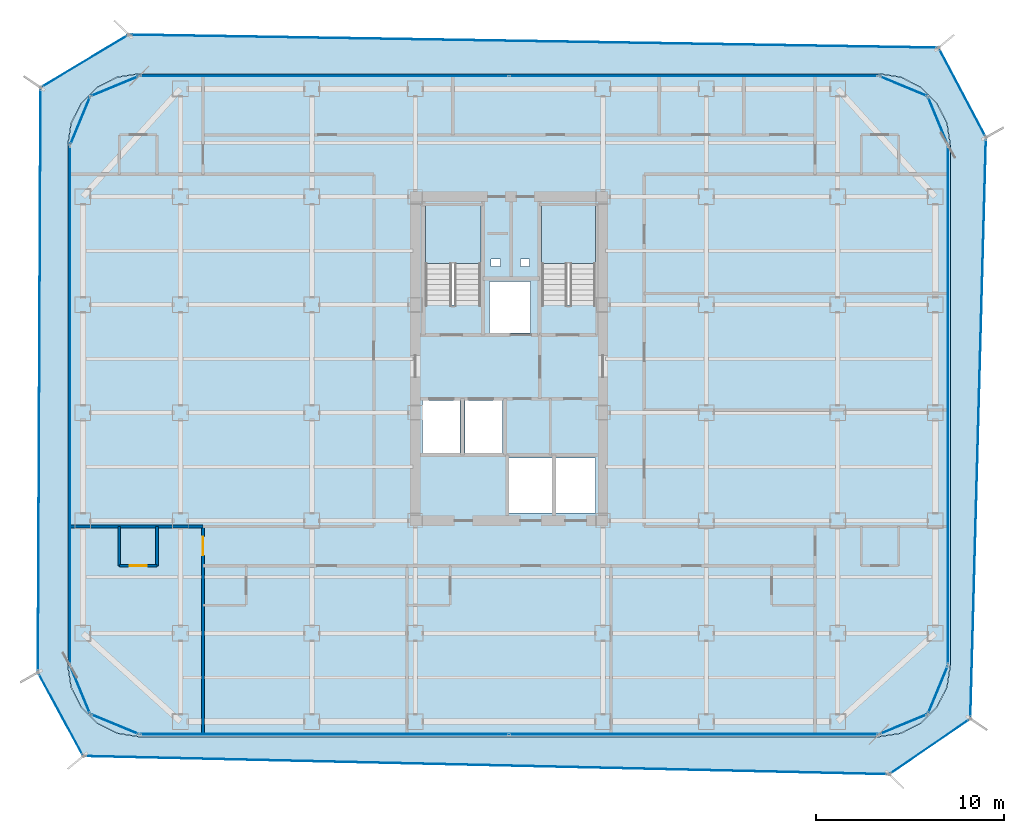
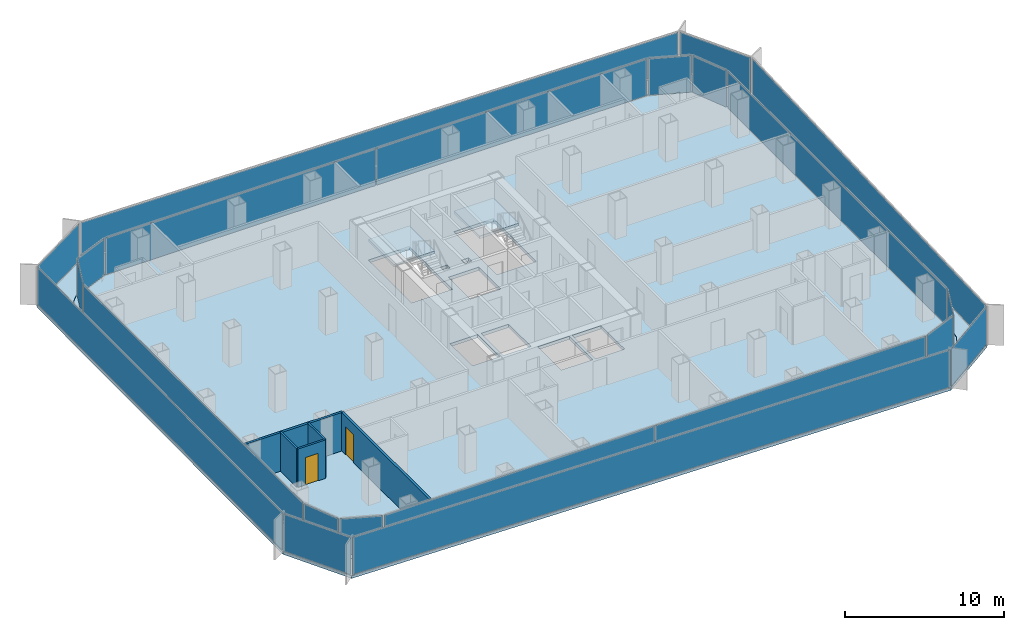
# One storey, part 15 of 21: 22 plates, 5 walls, 4 slabs, 2 doors, 2 openings, 22 elements without a shape of their own.
"""IFC4 building model written with IfcOpenShell, lengths in metres."""

from ifc_helpers import new_model, si_unit, direction, frame, frame_2d, origin, origin_2d, place, context, subcontext, project, spatial, polyline, rectangle, outline, extrude, source, transform, mapped, material, layer, layer_set, type_object, element, fill, aggregate, save


model = new_model("IFC4")

# Units and contexts
model_context = context("Model", 3, precision=1e-05, world=origin(), true_north=direction((0.0, 1.0)))
body_context = subcontext(model_context, "Body", "Model", "MODEL_VIEW")
ifc_project = project(units=[si_unit("LENGTHUNIT", "METRE"), si_unit("AREAUNIT", "SQUARE_METRE"), si_unit("VOLUMEUNIT", "CUBIC_METRE"), si_unit("PLANEANGLEUNIT", "RADIAN"), si_unit("MASSUNIT", "GRAM", prefix="KILO")], contexts=[model_context])

# Site, building, storey
site_placement = place(None, origin())
site = spatial("IfcSite", under=ifc_project, at=site_placement, CompositionType="ELEMENT")
building_placement = place(site_placement, origin())
building = spatial("IfcBuilding", under=site, at=building_placement, Name="Kolveth Station Tower", CompositionType="ELEMENT")
storey_placement = place(building_placement, frame((0.0, 0.0, 118.300048828125)))
storey = spatial("IfcBuildingStorey", under=building, at=storey_placement, Name="L32", CompositionType="ELEMENT", Elevation=118.300048828125)

# Slab
ifc_material_1 = material(Name="Concrete C40/50", Category="concrete")
ifc_layer_1 = layer(ifc_material_1, 0.25)
ifc_layer_set_1 = layer_set([ifc_layer_1], Name="Concrete C40/50")
slab_type_1 = type_object("IfcSlabType", Name="Slab_SF-250", PredefinedType="FLOOR", material=ifc_layer_set_1)
slab_1_placement = place(storey_placement, frame((0.0, 0.0, -0.25)))
element("IfcSlab", 1, at=slab_1_placement, inside=storey, type_object=slab_type_1, Name="L32 Tower Structural Floor Slab", PredefinedType="FLOOR", context=body_context, shape_type="SweptSolid", body=[
    extrude(outline(polyline([(43.199951171875, 0.0), (44.374267578125, 0.18603515625), (45.43359375, 0.7255859375), (46.2744140625, 1.56640625), (46.81396484375, 2.625732421875), (47.0, 3.800048828125), (47.0, 31.5), (46.81396484375, 32.67431640625), (46.2744140625, 33.733642578125), (45.43359375, 34.57421875), (44.374267578125, 35.114013671875), (43.199951171875, 35.300048828125), (3.800048828125, 35.300048828125), (2.625732421875, 35.114013671875), (1.56640625, 34.57421875), (0.7255859375, 33.733642578125), (0.18603515625, 32.67431640625), (0.0, 31.5), (0.0, 3.800048828125), (0.18603515625, 2.625732421875), (0.7255859375, 1.56640625), (1.56640625, 0.7255859375), (2.625732421875, 0.18603515625), (3.800048828125, 0.0), (43.199951171875, 0.0)]), holes=[polyline([(19.0400390625, 22.985107421875), (22.0, 22.985107421875), (22.0, 28.39990234375), (19.0400390625, 28.39990234375), (19.0400390625, 22.985107421875)]), polyline([(25.239990234375, 22.985107421875), (28.10009765625, 22.985107421875), (28.10009765625, 28.39990234375), (25.239990234375, 28.39990234375), (25.239990234375, 22.985107421875)]), polyline([(18.89990234375, 15.10009765625), (20.89990234375, 15.10009765625), (20.89990234375, 17.89990234375), (18.89990234375, 17.89990234375), (18.89990234375, 15.10009765625)]), polyline([(21.14990234375, 15.10009765625), (23.14990234375, 15.10009765625), (23.14990234375, 17.89990234375), (21.14990234375, 17.89990234375), (21.14990234375, 15.10009765625)]), polyline([(22.449951171875, 21.5), (24.64990234375, 21.5), (24.64990234375, 24.25), (22.449951171875, 24.25), (22.449951171875, 21.5)]), polyline([(23.5, 11.89990234375), (25.800048828125, 11.89990234375), (25.800048828125, 14.85009765625), (23.5, 14.85009765625), (23.5, 11.89990234375)]), polyline([(26.0, 11.89990234375), (28.10009765625, 11.89990234375), (28.10009765625, 14.85009765625), (26.0, 14.85009765625), (26.0, 11.89990234375)]), polyline([(22.550048828125, 25.050048828125), (23.050048828125, 25.050048828125), (23.050048828125, 25.449951171875), (22.550048828125, 25.449951171875), (22.550048828125, 25.050048828125)]), polyline([(24.10009765625, 25.050048828125), (24.60009765625, 25.050048828125), (24.60009765625, 25.449951171875), (24.10009765625, 25.449951171875), (24.10009765625, 25.050048828125)])]), origin(), (0.0, 0.0, 1.0), 0.25),
])

# Stair, slab
stair_type_1 = type_object("IfcStairType", Name="Stair_ST2", PredefinedType="HALF_TURN_STAIR", material=ifc_material_1)
stair_1_placement = place(storey_placement, origin())
stair_1 = element("IfcStair", 2, at=stair_1_placement, inside=storey, type_object=stair_type_1, Name="L32 Tower Exit Stair ST2", PredefinedType="HALF_TURN_STAIR")
ifc_layer_2 = layer(ifc_material_1, 0.18994140625)
ifc_layer_set_2 = layer_set([ifc_layer_2], Name="Concrete C40/50")
slab_type_2 = type_object("IfcSlabType", Name="Slab_SL-190", PredefinedType="LANDING", material=ifc_layer_set_2)
slab_2_placement = place(storey_placement, frame((0.0, 0.0, 1.39990234375)))
slab_2 = element("IfcSlab", 3, at=slab_2_placement, type_object=slab_type_2, Name="ST2 landing 1", PredefinedType="LANDING", context=body_context, shape_type="SweptSolid", body=[
    extrude(outline(polyline([(28.10009765625, 25.18994140625), (28.10009765625, 28.39990234375), (25.239990234375, 28.39990234375), (25.239990234375, 25.18994140625), (28.10009765625, 25.18994140625)])), origin(), (0.0, 0.0, 1.0), 0.199951171875),
])
aggregate(stair_1, [slab_2])

stair_type_2 = type_object("IfcStairType", Name="Stair_ST1", PredefinedType="HALF_TURN_STAIR", material=ifc_material_1)
stair_2_placement = place(storey_placement, origin())
stair_2 = element("IfcStair", 4, at=stair_2_placement, inside=storey, type_object=stair_type_2, Name="L32 Tower Exit Stair ST1", PredefinedType="HALF_TURN_STAIR")
ifc_layer_3 = layer(ifc_material_1, 0.205078125)
ifc_layer_set_3 = layer_set([ifc_layer_3], Name="Concrete C40/50")
slab_type_3 = type_object("IfcSlabType", Name="Slab_SL-205", PredefinedType="LANDING", material=ifc_layer_set_3)
slab_3_placement = place(storey_placement, frame((0.0, 0.0, 1.39990234375)))
slab_3 = element("IfcSlab", 5, at=slab_3_placement, type_object=slab_type_3, Name="ST1 landing 1", PredefinedType="LANDING", context=body_context, shape_type="SweptSolid", body=[
    extrude(outline(polyline([(22.0, 25.18994140625), (22.0, 28.39990234375), (19.0400390625, 28.39990234375), (19.0400390625, 25.18994140625), (22.0, 25.18994140625)])), origin(), (0.0, 0.0, 1.0), 0.199951171875),
])
aggregate(stair_2, [slab_3])

# Slab
ifc_layer_4 = layer(ifc_material_1, 0.2099609375)
ifc_layer_set_4 = layer_set([ifc_layer_4], Name="Concrete C40/50")
slab_type_4 = type_object("IfcSlabType", Name="Slab_ST-210", PredefinedType="FLOOR", material=ifc_layer_set_4)
slab_4_placement = place(storey_placement, frame((0.0, 0.0, -0.2099609375)))
element("IfcSlab", 6, at=slab_4_placement, inside=storey, type_object=slab_type_4, Name="L32 Double-Skin Cavity Structural Ledger Ring", PredefinedType="FLOOR", context=body_context, shape_type="SweptSolid", body=[
    extrude(outline(polyline([(0.826171875, -1.03564453125), (-1.58984375, 3.420166015625), (-1.448974609375, 34.568115234375), (3.24462890625, 37.384521484375), (46.376708984375, 36.69091796875), (48.90234375, 31.919189453125), (48.071044921875, 0.94970703125), (43.745849609375, -2.0068359375), (0.826171875, -1.03564453125)]), holes=[polyline([(43.202392578125, -0.014892578125), (44.376708984375, 0.171142578125), (44.381103515625, 0.172607421875), (45.4404296875, 0.71240234375), (45.444091796875, 0.715087890625), (46.284912109375, 1.555908203125), (46.28759765625, 1.5595703125), (46.827392578125, 2.618896484375), (46.828857421875, 2.623291015625), (47.014892578125, 3.797607421875), (47.014892578125, 3.800048828125), (47.014892578125, 31.5), (47.014892578125, 31.502197265625), (46.828857421875, 32.676513671875), (46.827392578125, 32.68115234375), (46.28759765625, 33.740478515625), (46.284912109375, 33.744140625), (45.444091796875, 34.5849609375), (45.4404296875, 34.587646484375), (44.381103515625, 35.12744140625), (44.376708984375, 35.12890625), (43.202392578125, 35.314697265625), (43.199951171875, 35.31494140625), (3.800048828125, 35.31494140625), (3.797607421875, 35.314697265625), (2.623291015625, 35.12890625), (2.618896484375, 35.12744140625), (1.5595703125, 34.587646484375), (1.555908203125, 34.5849609375), (0.715087890625, 33.744140625), (0.71240234375, 33.740478515625), (0.172607421875, 32.68115234375), (0.171142578125, 32.676513671875), (-0.014892578125, 31.502197265625), (-0.014892578125, 31.5), (-0.014892578125, 3.800048828125), (-0.014892578125, 3.797607421875), (0.171142578125, 2.623291015625), (0.172607421875, 2.618896484375), (0.71240234375, 1.5595703125), (0.715087890625, 1.555908203125), (1.555908203125, 0.715087890625), (1.5595703125, 0.71240234375), (2.618896484375, 0.172607421875), (2.623291015625, 0.171142578125), (3.797607421875, -0.014892578125), (3.800048828125, -0.014892578125), (43.199951171875, -0.014892578125), (43.202392578125, -0.014892578125)])]), origin(), (0.0, 0.0, 1.0), 0.2099609375),
])

# Curtain wall, plate
ifc_material_2 = material(Name="Aluminium 6063-T6 and low-E dark glass", Category="aluminium")
ifc_layer_5 = layer(ifc_material_2, 0.18994140625)
ifc_layer_set_5 = layer_set([ifc_layer_5], Name="Aluminium 6063-T6 and low-E dark glass")
curtain_wall_type_1 = type_object("IfcCurtainWallType", Name="CurtainWall_CW-Z2", PredefinedType="NOTDEFINED", material=ifc_layer_set_5)
curtain_wall_1_placement = place(storey_placement, origin())
curtain_wall_1 = element("IfcCurtainWall", 7, at=curtain_wall_1_placement, inside=storey, type_object=curtain_wall_type_1, Name="L32 Inner Thermal Curtain Wall 1", PredefinedType="NOTDEFINED")
ifc_material_3 = material(Name="Architectural low-E dark glass", Category="glass")
ifc_layer_6 = layer(ifc_material_3, 0.0380859375)
ifc_layer_set_6 = layer_set([ifc_layer_6], Name="Architectural low-E dark glass")
plate_type_1 = type_object("IfcPlateType", Name="Panel_GL2", PredefinedType="CURTAIN_PANEL", material=ifc_layer_set_6)
shared_shape_1 = source(origin(), body_context, "Body", "SweptSolid", [
    extrude(rectangle(XDim=2.670654296875, YDim=0.0380859375, at=origin_2d()), origin(), (0.0, 0.0, 1.0), 2.803955078125),
])
plate_1_placement = place(storey_placement, frame((44.501220703125, 0.658935546875, 0.07275390625), z_axis=(0.0, 0.0, 1.0), x_axis=(0.923887883787, 0.38266326998, 0.0)))
plate_1 = element("IfcPlate", 8, at=plate_1_placement, type_object=plate_type_1, Name="CW-Z2 panel 1.1", PredefinedType="CURTAIN_PANEL", context=body_context, shape_type="MappedRepresentation", body=[
    mapped(shared_shape_1, transform((0.0, 0.0, 0.0), x_axis=(1.0, 0.0, 0.0), y_axis=(0.0, 1.0, 0.0), z_axis=(0.0, 0.0, 1.0), scale=1.0)),
])
aggregate(curtain_wall_1, [plate_1])

curtain_wall_2_placement = place(storey_placement, origin())
curtain_wall_2 = element("IfcCurtainWall", 9, at=curtain_wall_2_placement, inside=storey, type_object=curtain_wall_type_1, Name="L32 Inner Thermal Curtain Wall 2", PredefinedType="NOTDEFINED")
plate_2_placement = place(storey_placement, frame((46.341064453125, 2.498779296875, 0.07275390625), z_axis=(0.0, 0.0, 1.0), x_axis=(0.38266326998, 0.923887883787, 0.0)))
plate_2 = element("IfcPlate", 10, at=plate_2_placement, type_object=plate_type_1, Name="CW-Z2 panel 1.1", PredefinedType="CURTAIN_PANEL", context=body_context, shape_type="MappedRepresentation", body=[
    mapped(shared_shape_1, transform((0.0, 0.0, 0.0), x_axis=(1.0, 0.0, 0.0), y_axis=(0.0, 1.0, 0.0), z_axis=(0.0, 0.0, 1.0), scale=1.0)),
])
aggregate(curtain_wall_2, [plate_2])

curtain_wall_3_placement = place(storey_placement, origin())
curtain_wall_3 = element("IfcCurtainWall", 11, at=curtain_wall_3_placement, inside=storey, type_object=curtain_wall_type_1, Name="L32 Inner Thermal Curtain Wall 4", PredefinedType="NOTDEFINED")
plate_3_placement = place(storey_placement, frame((46.341064453125, 32.801025390625, 0.07275390625), z_axis=(0.0, 0.0, 1.0), x_axis=(-0.38266326998, 0.923887883787, 0.0)))
plate_3 = element("IfcPlate", 12, at=plate_3_placement, type_object=plate_type_1, Name="CW-Z2 panel 1.1", PredefinedType="CURTAIN_PANEL", context=body_context, shape_type="MappedRepresentation", body=[
    mapped(shared_shape_1, transform((0.0, 0.0, 0.0), x_axis=(1.0, 0.0, 0.0), y_axis=(0.0, 1.0, 0.0), z_axis=(0.0, 0.0, 1.0), scale=1.0)),
])
aggregate(curtain_wall_3, [plate_3])

curtain_wall_4_placement = place(storey_placement, origin())
curtain_wall_4 = element("IfcCurtainWall", 13, at=curtain_wall_4_placement, inside=storey, type_object=curtain_wall_type_1, Name="L32 Inner Thermal Curtain Wall 5", PredefinedType="NOTDEFINED")
plate_4_placement = place(storey_placement, frame((44.501220703125, 34.64111328125, 0.07275390625), z_axis=(0.0, 0.0, 1.0), x_axis=(-0.923887883787, 0.38266326998, 0.0)))
plate_4 = element("IfcPlate", 14, at=plate_4_placement, type_object=plate_type_1, Name="CW-Z2 panel 1.1", PredefinedType="CURTAIN_PANEL", context=body_context, shape_type="MappedRepresentation", body=[
    mapped(shared_shape_1, transform((0.0, 0.0, 0.0), x_axis=(1.0, 0.0, 0.0), y_axis=(0.0, 1.0, 0.0), z_axis=(0.0, 0.0, 1.0), scale=1.0)),
])
aggregate(curtain_wall_4, [plate_4])

curtain_wall_5_placement = place(storey_placement, origin())
curtain_wall_5 = element("IfcCurtainWall", 15, at=curtain_wall_5_placement, inside=storey, type_object=curtain_wall_type_1, Name="L32 Inner Thermal Curtain Wall 7", PredefinedType="NOTDEFINED")
plate_5_placement = place(storey_placement, frame((2.498779296875, 34.64111328125, 0.07275390625), z_axis=(0.0, 0.0, 1.0), x_axis=(-0.923887883787, -0.38266326998, 0.0)))
plate_5 = element("IfcPlate", 16, at=plate_5_placement, type_object=plate_type_1, Name="CW-Z2 panel 1.1", PredefinedType="CURTAIN_PANEL", context=body_context, shape_type="MappedRepresentation", body=[
    mapped(shared_shape_1, transform((0.0, 0.0, 0.0), x_axis=(1.0, 0.0, 0.0), y_axis=(0.0, 1.0, 0.0), z_axis=(0.0, 0.0, 1.0), scale=1.0)),
])
aggregate(curtain_wall_5, [plate_5])

curtain_wall_6_placement = place(storey_placement, origin())
curtain_wall_6 = element("IfcCurtainWall", 17, at=curtain_wall_6_placement, inside=storey, type_object=curtain_wall_type_1, Name="L32 Inner Thermal Curtain Wall 8", PredefinedType="NOTDEFINED")
plate_6_placement = place(storey_placement, frame((0.658935546875, 32.801025390625, 0.07275390625), z_axis=(0.0, 0.0, 1.0), x_axis=(-0.38266326998, -0.923887883787, 0.0)))
plate_6 = element("IfcPlate", 18, at=plate_6_placement, type_object=plate_type_1, Name="CW-Z2 panel 1.1", PredefinedType="CURTAIN_PANEL", context=body_context, shape_type="MappedRepresentation", body=[
    mapped(shared_shape_1, transform((0.0, 0.0, 0.0), x_axis=(1.0, 0.0, 0.0), y_axis=(0.0, 1.0, 0.0), z_axis=(0.0, 0.0, 1.0), scale=1.0)),
])
aggregate(curtain_wall_6, [plate_6])

curtain_wall_7_placement = place(storey_placement, origin())
curtain_wall_7 = element("IfcCurtainWall", 19, at=curtain_wall_7_placement, inside=storey, type_object=curtain_wall_type_1, Name="L32 Inner Thermal Curtain Wall 10", PredefinedType="NOTDEFINED")
plate_7_placement = place(storey_placement, frame((0.658935546875, 2.498779296875, 0.07275390625), z_axis=(0.0, 0.0, 1.0), x_axis=(0.38266326998, -0.923887883787, 0.0)))
plate_7 = element("IfcPlate", 20, at=plate_7_placement, type_object=plate_type_1, Name="CW-Z2 panel 1.1", PredefinedType="CURTAIN_PANEL", context=body_context, shape_type="MappedRepresentation", body=[
    mapped(shared_shape_1, transform((0.0, 0.0, 0.0), x_axis=(1.0, 0.0, 0.0), y_axis=(0.0, 1.0, 0.0), z_axis=(0.0, 0.0, 1.0), scale=1.0)),
])
aggregate(curtain_wall_7, [plate_7])

curtain_wall_8_placement = place(storey_placement, origin())
curtain_wall_8 = element("IfcCurtainWall", 21, at=curtain_wall_8_placement, inside=storey, type_object=curtain_wall_type_1, Name="L32 Inner Thermal Curtain Wall 11", PredefinedType="NOTDEFINED")
plate_8_placement = place(storey_placement, frame((2.498779296875, 0.658935546875, 0.07275390625), z_axis=(0.0, 0.0, 1.0), x_axis=(0.923887883787, -0.38266326998, 0.0)))
plate_8 = element("IfcPlate", 22, at=plate_8_placement, type_object=plate_type_1, Name="CW-Z2 panel 1.1", PredefinedType="CURTAIN_PANEL", context=body_context, shape_type="MappedRepresentation", body=[
    mapped(shared_shape_1, transform((0.0, 0.0, 0.0), x_axis=(1.0, 0.0, 0.0), y_axis=(0.0, 1.0, 0.0), z_axis=(0.0, 0.0, 1.0), scale=1.0)),
])
aggregate(curtain_wall_8, [plate_8])

curtain_wall_9_placement = place(storey_placement, origin())
curtain_wall_9 = element("IfcCurtainWall", 23, at=curtain_wall_9_placement, inside=storey, type_object=curtain_wall_type_1, Name="L32 Inner Thermal Curtain Wall 3", PredefinedType="NOTDEFINED")
shared_shape_2 = source(origin(), body_context, "Body", "SweptSolid", [
    extrude(rectangle(XDim=27.553955078125, YDim=0.0380859375, at=origin_2d()), origin(), (0.0, 0.0, 1.0), 2.803955078125),
])
plate_9_placement = place(storey_placement, frame((46.8798828125, 17.64990234375, 0.07275390625), z_axis=(0.0, 0.0, 1.0), x_axis=(0.0, 1.0, 0.0)))
plate_9 = element("IfcPlate", 24, at=plate_9_placement, type_object=plate_type_1, Name="CW-Z2 panel 1.1", PredefinedType="CURTAIN_PANEL", context=body_context, shape_type="MappedRepresentation", body=[
    mapped(shared_shape_2, transform((0.0, 0.0, 0.0), x_axis=(1.0, 0.0, 0.0), y_axis=(0.0, 1.0, 0.0), z_axis=(0.0, 0.0, 1.0), scale=1.0)),
])
aggregate(curtain_wall_9, [plate_9])

curtain_wall_10_placement = place(storey_placement, origin())
curtain_wall_10 = element("IfcCurtainWall", 25, at=curtain_wall_10_placement, inside=storey, type_object=curtain_wall_type_1, Name="L32 Inner Thermal Curtain Wall 9", PredefinedType="NOTDEFINED")
plate_10_placement = place(storey_placement, frame((0.1201171875, 17.64990234375, 0.07275390625), z_axis=(0.0, 0.0, 1.0), x_axis=(0.0, -1.0, 0.0)))
plate_10 = element("IfcPlate", 26, at=plate_10_placement, type_object=plate_type_1, Name="CW-Z2 panel 1.1", PredefinedType="CURTAIN_PANEL", context=body_context, shape_type="MappedRepresentation", body=[
    mapped(shared_shape_2, transform((0.0, 0.0, 0.0), x_axis=(1.0, 0.0, 0.0), y_axis=(0.0, 1.0, 0.0), z_axis=(0.0, 0.0, 1.0), scale=1.0)),
])
aggregate(curtain_wall_10, [plate_10])

# Curtain wall, plates
curtain_wall_11_placement = place(storey_placement, origin())
curtain_wall_11 = element("IfcCurtainWall", 27, at=curtain_wall_11_placement, inside=storey, type_object=curtain_wall_type_1, Name="L32 Inner Thermal Curtain Wall 6", PredefinedType="NOTDEFINED")
shared_shape_3 = source(origin(), body_context, "Body", "SweptSolid", [
    extrude(rectangle(XDim=19.593994140625, YDim=0.0380859375, at=origin_2d()), origin(), (0.0, 0.0, 1.0), 2.803955078125),
])
plate_11_placement = place(storey_placement, frame((33.330078125, 35.179931640625, 0.07275390625), z_axis=(0.0, 0.0, 1.0), x_axis=(-1.0, 0.0, 0.0)))
plate_11 = element("IfcPlate", 28, at=plate_11_placement, type_object=plate_type_1, Name="CW-Z2 panel 1.1", PredefinedType="CURTAIN_PANEL", context=body_context, shape_type="MappedRepresentation", body=[
    mapped(shared_shape_3, transform((0.0, 0.0, 0.0), x_axis=(1.0, 0.0, 0.0), y_axis=(0.0, 1.0, 0.0), z_axis=(0.0, 0.0, 1.0), scale=1.0)),
])
plate_12_placement = place(storey_placement, frame((13.669921875, 35.179931640625, 0.07275390625), z_axis=(0.0, 0.0, 1.0), x_axis=(-1.0, 0.0, 0.0)))
plate_12 = element("IfcPlate", 29, at=plate_12_placement, type_object=plate_type_1, Name="CW-Z2 panel 2.1", PredefinedType="CURTAIN_PANEL", context=body_context, shape_type="MappedRepresentation", body=[
    mapped(shared_shape_3, transform((0.0, 0.0, 0.0), x_axis=(1.0, 0.0, 0.0), y_axis=(0.0, 1.0, 0.0), z_axis=(0.0, 0.0, 1.0), scale=1.0)),
])
aggregate(curtain_wall_11, [plate_11, plate_12])

curtain_wall_12_placement = place(storey_placement, origin())
curtain_wall_12 = element("IfcCurtainWall", 30, at=curtain_wall_12_placement, inside=storey, type_object=curtain_wall_type_1, Name="L32 Inner Thermal Curtain Wall 12", PredefinedType="NOTDEFINED")
plate_13_placement = place(storey_placement, frame((13.669921875, 0.1201171875, 0.07275390625), z_axis=(0.0, 0.0, 1.0), x_axis=(1.0, 0.0, 0.0)))
plate_13 = element("IfcPlate", 31, at=plate_13_placement, type_object=plate_type_1, Name="CW-Z2 panel 1.1", PredefinedType="CURTAIN_PANEL", context=body_context, shape_type="MappedRepresentation", body=[
    mapped(shared_shape_3, transform((0.0, 0.0, 0.0), x_axis=(1.0, 0.0, 0.0), y_axis=(0.0, 1.0, 0.0), z_axis=(0.0, 0.0, 1.0), scale=1.0)),
])
plate_14_placement = place(storey_placement, frame((33.330078125, 0.1201171875, 0.07275390625), z_axis=(0.0, 0.0, 1.0), x_axis=(1.0, 0.0, 0.0)))
plate_14 = element("IfcPlate", 32, at=plate_14_placement, type_object=plate_type_1, Name="CW-Z2 panel 2.1", PredefinedType="CURTAIN_PANEL", context=body_context, shape_type="MappedRepresentation", body=[
    mapped(shared_shape_3, transform((0.0, 0.0, 0.0), x_axis=(1.0, 0.0, 0.0), y_axis=(0.0, 1.0, 0.0), z_axis=(0.0, 0.0, 1.0), scale=1.0)),
])
aggregate(curtain_wall_12, [plate_13, plate_14])

# Curtain wall, plate
ifc_material_4 = material(Name="Black anodized aluminium 6063-T6 and dark solar glass", Category="aluminium")
ifc_layer_7 = layer(ifc_material_4, 0.159912109375)
ifc_layer_set_7 = layer_set([ifc_layer_7], Name="Black anodized aluminium 6063-T6 and dark solar glass")
curtain_wall_type_2 = type_object("IfcCurtainWallType", Name="OUTER SKIN CW-OS", PredefinedType="NOTDEFINED", material=ifc_layer_set_7)
curtain_wall_13_placement = place(storey_placement, origin())
curtain_wall_13 = element("IfcCurtainWall", 33, at=curtain_wall_13_placement, inside=storey, type_object=curtain_wall_type_2, Name="L32 Outer Ventilated Skin Curtain Wall 1", PredefinedType="NOTDEFINED")
ifc_layer_8 = layer(ifc_material_3, 0.028076171875)
ifc_layer_set_8 = layer_set([ifc_layer_8], Name="Architectural low-E dark glass")
plate_type_2 = type_object("IfcPlateType", Name="Panel_GL-OS", PredefinedType="CURTAIN_PANEL", material=ifc_layer_set_8)
shared_shape_4 = source(origin(), body_context, "Body", "SweptSolid", [
    extrude(rectangle(XDim=5.0732421875, YDim=0.028076171875, at=origin_2d()), origin(), (0.0, 0.0, 1.0), 2.843994140625),
])
plate_15_placement = place(storey_placement, frame((45.908447265625, -0.528564453125, 0.07275390625), z_axis=(0.0, 0.0, 1.0), x_axis=(0.825566540221, 0.564304782601, 0.0)))
plate_15 = element("IfcPlate", 34, at=plate_15_placement, type_object=plate_type_2, Name="CW-OS panel 1.1", PredefinedType="CURTAIN_PANEL", context=body_context, shape_type="MappedRepresentation", body=[
    mapped(shared_shape_4, transform((0.0, 0.0, 0.0), x_axis=(1.0, 0.0, 0.0), y_axis=(0.0, 1.0, 0.0), z_axis=(0.0, 0.0, 1.0), scale=1.0)),
])
aggregate(curtain_wall_13, [plate_15])

curtain_wall_14_placement = place(storey_placement, origin())
curtain_wall_14 = element("IfcCurtainWall", 35, at=curtain_wall_14_placement, inside=storey, type_object=curtain_wall_type_2, Name="L32 Outer Ventilated Skin Curtain Wall 2", PredefinedType="NOTDEFINED")
shared_shape_5 = source(origin(), body_context, "Body", "SweptSolid", [
    extrude(rectangle(XDim=30.814697265625, YDim=0.028076171875, at=origin_2d()), origin(), (0.0, 0.0, 1.0), 2.843994140625),
])
plate_16_placement = place(storey_placement, frame((48.48681640625, 16.434326171875, 0.07275390625), z_axis=(0.0, 0.0, 1.0), x_axis=(0.026832786952, 0.999639935949, 0.0)))
plate_16 = element("IfcPlate", 36, at=plate_16_placement, type_object=plate_type_2, Name="CW-OS panel 1.1", PredefinedType="CURTAIN_PANEL", context=body_context, shape_type="MappedRepresentation", body=[
    mapped(shared_shape_5, transform((0.0, 0.0, 0.0), x_axis=(1.0, 0.0, 0.0), y_axis=(0.0, 1.0, 0.0), z_axis=(0.0, 0.0, 1.0), scale=1.0)),
])
aggregate(curtain_wall_14, [plate_16])

curtain_wall_15_placement = place(storey_placement, origin())
curtain_wall_15 = element("IfcCurtainWall", 37, at=curtain_wall_15_placement, inside=storey, type_object=curtain_wall_type_2, Name="L32 Outer Ventilated Skin Curtain Wall 3", PredefinedType="NOTDEFINED")
shared_shape_6 = source(origin(), body_context, "Body", "SweptSolid", [
    extrude(rectangle(XDim=5.23291015625, YDim=0.028076171875, at=origin_2d()), origin(), (0.0, 0.0, 1.0), 2.843994140625),
])
plate_17_placement = place(storey_placement, frame((47.6396484375, 34.30517578125, 0.07275390625), z_axis=(0.0, 0.0, 1.0), x_axis=(-0.467808574812, 0.883829812425, 0.0)))
plate_17 = element("IfcPlate", 38, at=plate_17_placement, type_object=plate_type_2, Name="CW-OS panel 1.1", PredefinedType="CURTAIN_PANEL", context=body_context, shape_type="MappedRepresentation", body=[
    mapped(shared_shape_6, transform((0.0, 0.0, 0.0), x_axis=(1.0, 0.0, 0.0), y_axis=(0.0, 1.0, 0.0), z_axis=(0.0, 0.0, 1.0), scale=1.0)),
])
aggregate(curtain_wall_15, [plate_17])

curtain_wall_16_placement = place(storey_placement, origin())
curtain_wall_16 = element("IfcCurtainWall", 39, at=curtain_wall_16_placement, inside=storey, type_object=curtain_wall_type_2, Name="L32 Outer Ventilated Skin Curtain Wall 4", PredefinedType="NOTDEFINED")
shared_shape_7 = source(origin(), body_context, "Body", "SweptSolid", [
    extrude(rectangle(XDim=42.9716796875, YDim=0.028076171875, at=origin_2d()), origin(), (0.0, 0.0, 1.0), 2.843994140625),
])
plate_18_placement = place(storey_placement, frame((24.810546875, 37.037841796875, 0.07275390625), z_axis=(0.0, 0.0, 1.0), x_axis=(-0.999870765778, 0.016076434391, 0.0)))
plate_18 = element("IfcPlate", 40, at=plate_18_placement, type_object=plate_type_2, Name="CW-OS panel 1.1", PredefinedType="CURTAIN_PANEL", context=body_context, shape_type="MappedRepresentation", body=[
    mapped(shared_shape_7, transform((0.0, 0.0, 0.0), x_axis=(1.0, 0.0, 0.0), y_axis=(0.0, 1.0, 0.0), z_axis=(0.0, 0.0, 1.0), scale=1.0)),
])
aggregate(curtain_wall_16, [plate_18])

curtain_wall_17_placement = place(storey_placement, origin())
curtain_wall_17 = element("IfcCurtainWall", 41, at=curtain_wall_17_placement, inside=storey, type_object=curtain_wall_type_2, Name="L32 Outer Ventilated Skin Curtain Wall 5", PredefinedType="NOTDEFINED")
shared_shape_8 = source(origin(), body_context, "Body", "SweptSolid", [
    extrude(rectangle(XDim=5.3076171875, YDim=0.028076171875, at=origin_2d()), origin(), (0.0, 0.0, 1.0), 2.843994140625),
])
plate_19_placement = place(storey_placement, frame((0.89794921875, 35.976318359375, 0.07275390625), z_axis=(0.0, 0.0, 1.0), x_axis=(-0.85746068442, -0.5145494871, 0.0)))
plate_19 = element("IfcPlate", 42, at=plate_19_placement, type_object=plate_type_2, Name="CW-OS panel 1.1", PredefinedType="CURTAIN_PANEL", context=body_context, shape_type="MappedRepresentation", body=[
    mapped(shared_shape_8, transform((0.0, 0.0, 0.0), x_axis=(1.0, 0.0, 0.0), y_axis=(0.0, 1.0, 0.0), z_axis=(0.0, 0.0, 1.0), scale=1.0)),
])
aggregate(curtain_wall_17, [plate_19])

curtain_wall_18_placement = place(storey_placement, origin())
curtain_wall_18 = element("IfcCurtainWall", 43, at=curtain_wall_18_placement, inside=storey, type_object=curtain_wall_type_2, Name="L32 Outer Ventilated Skin Curtain Wall 6", PredefinedType="NOTDEFINED")
shared_shape_9 = source(origin(), body_context, "Body", "SweptSolid", [
    extrude(rectangle(XDim=30.982177734375, YDim=0.028076171875, at=origin_2d()), origin(), (0.0, 0.0, 1.0), 2.843994140625),
])
plate_20_placement = place(storey_placement, frame((-1.519287109375, 18.994140625, 0.07275390625), z_axis=(0.0, 0.0, 1.0), x_axis=(-0.004523547673, -0.999989768706, 0.0)))
plate_20 = element("IfcPlate", 44, at=plate_20_placement, type_object=plate_type_2, Name="CW-OS panel 1.1", PredefinedType="CURTAIN_PANEL", context=body_context, shape_type="MappedRepresentation", body=[
    mapped(shared_shape_9, transform((0.0, 0.0, 0.0), x_axis=(1.0, 0.0, 0.0), y_axis=(0.0, 1.0, 0.0), z_axis=(0.0, 0.0, 1.0), scale=1.0)),
])
aggregate(curtain_wall_18, [plate_20])

curtain_wall_19_placement = place(storey_placement, origin())
curtain_wall_19 = element("IfcCurtainWall", 45, at=curtain_wall_19_placement, inside=storey, type_object=curtain_wall_type_2, Name="L32 Outer Ventilated Skin Curtain Wall 7", PredefinedType="NOTDEFINED")
shared_shape_10 = source(origin(), body_context, "Body", "SweptSolid", [
    extrude(rectangle(XDim=4.902587890625, YDim=0.028076171875, at=origin_2d()), origin(), (0.0, 0.0, 1.0), 2.843994140625),
])
plate_21_placement = place(storey_placement, frame((-0.3818359375, 1.1923828125, 0.07275390625), z_axis=(0.0, 0.0, 1.0), x_axis=(0.476640302368, -0.879098414376, 0.0)))
plate_21 = element("IfcPlate", 46, at=plate_21_placement, type_object=plate_type_2, Name="CW-OS panel 1.1", PredefinedType="CURTAIN_PANEL", context=body_context, shape_type="MappedRepresentation", body=[
    mapped(shared_shape_10, transform((0.0, 0.0, 0.0), x_axis=(1.0, 0.0, 0.0), y_axis=(0.0, 1.0, 0.0), z_axis=(0.0, 0.0, 1.0), scale=1.0)),
])
aggregate(curtain_wall_19, [plate_21])

curtain_wall_20_placement = place(storey_placement, origin())
curtain_wall_20 = element("IfcCurtainWall", 47, at=curtain_wall_20_placement, inside=storey, type_object=curtain_wall_type_2, Name="L32 Outer Ventilated Skin Curtain Wall 8", PredefinedType="NOTDEFINED")
shared_shape_11 = source(origin(), body_context, "Body", "SweptSolid", [
    extrude(rectangle(XDim=42.7646484375, YDim=0.028076171875, at=origin_2d()), origin(), (0.0, 0.0, 1.0), 2.843994140625),
])
plate_22_placement = place(storey_placement, frame((22.285888671875, -1.521240234375, 0.07275390625), z_axis=(0.0, 0.0, 1.0), x_axis=(0.999744025532, -0.022624840616, 0.0)))
plate_22 = element("IfcPlate", 48, at=plate_22_placement, type_object=plate_type_2, Name="CW-OS panel 1.1", PredefinedType="CURTAIN_PANEL", context=body_context, shape_type="MappedRepresentation", body=[
    mapped(shared_shape_11, transform((0.0, 0.0, 0.0), x_axis=(1.0, 0.0, 0.0), y_axis=(0.0, 1.0, 0.0), z_axis=(0.0, 0.0, 1.0), scale=1.0)),
])
aggregate(curtain_wall_20, [plate_22])

# Walls
ifc_material_5 = material(Name="Moisture-resistant gypsum partition")
ifc_layer_9 = layer(ifc_material_5, 0.135009765625)
ifc_layer_set_9 = layer_set([ifc_layer_9], Name="Moisture-resistant gypsum partition")
wall_type_1 = type_object("IfcWallType", Name="Wall_IW-135", PredefinedType="PARTITIONING", material=ifc_layer_set_9)
for number, where, z_axis, x_axis, name in (
    (49, (2.75, 9.10009765625, 0.0), (0.0, 0.0, 1.0), (0.0, 1.0, 0.0), "L32 Partition Wall WL-L32-WS1-BV1"),
    (50, (4.75, 9.10009765625, 0.0), (0.0, 0.0, 1.0), (0.0, 1.0, 0.0), "L32 Partition Wall WL-L32-WS1-BV2"),
):
    element("IfcWall", number, at=place(storey_placement, frame(where, z_axis=z_axis, x_axis=x_axis)), inside=storey, type_object=wall_type_1, Name=name, PredefinedType="PARTITIONING", context=body_context, shape_type="SweptSolid", body=[
        extrude(rectangle(XDim=2.099853515625, YDim=0.135009765625, at=frame_2d((1.0498046875, 0.0))), origin(), (0.0, 0.0, 1.0), 2.949951171875),
    ])

# Wall, opening, door
wall_1_placement = place(storey_placement, frame((2.75, 9.10009765625, 0.0), z_axis=(0.0, 0.0, 1.0), x_axis=(1.0, 0.0, 0.0)))
wall_1 = element("IfcWall", 51, at=wall_1_placement, inside=storey, type_object=wall_type_1, Name="L32 Partition Wall WL-L32-WS1-BH", PredefinedType="PARTITIONING", context=body_context, shape_type="SweptSolid", body=[
    extrude(rectangle(XDim=2.0, YDim=0.135009765625, at=frame_2d((1.0, 0.0))), origin(), (0.0, 0.0, 1.0), 2.949951171875),
])
opening_1_placement = place(wall_1_placement, frame((0.5400390625, 0.0, 0.0)))
opening_1 = element("IfcOpeningElement", 52, at=opening_1_placement, cuts=wall_1, Name="Opening ID2", PredefinedType="OPENING", context=body_context, shape_type="SweptSolid", body=[
    extrude(rectangle(XDim=0.919921875, YDim=2.10009765625, at=frame_2d((0.4599609375, 1.050048828125))), frame((0.0, 0.077392578125, 0.0), z_axis=(0.0, -1.0, 0.0), x_axis=(1.0, 0.0, 0.0)), (0.0, 0.0, 1.0), 0.155029296875),
])
ifc_material_6 = material(Name="Moisture-resistant hardwood leaf", Category="wood")
door_type_1 = type_object("IfcDoorType", Name="Door_ID2", OperationType="NOTDEFINED", PredefinedType="DOOR", material=ifc_material_6)
door_1_placement = place(opening_1_placement, origin())
door_1 = element("IfcDoor", 53, at=door_1_placement, inside=storey, type_object=door_type_1, Name="L32 Hotel Corner Suite WS1 En-Suite Door", OperationType="SINGLE_SWING_LEFT", OverallHeight=2.10009765625, OverallWidth=0.919921875, PredefinedType="DOOR", context=body_context, shape_type="SweptSolid", body=[
    extrude(rectangle(XDim=0.919921875, YDim=2.10009765625, at=frame_2d((0.4599609375, 1.050048828125))), frame((0.0, 0.02490234375, 0.0), z_axis=(0.0, -1.0, 0.0), x_axis=(1.0, 0.0, 0.0)), (0.0, 0.0, 1.0), 0.050048828125),
])
fill(opening_1, door_1)

ifc_material_7 = material(Name="Acoustic double-stud gypsum partition")
ifc_layer_10 = layer(ifc_material_7, 0.1650390625)
ifc_layer_set_10 = layer_set([ifc_layer_10], Name="Acoustic double-stud gypsum partition")
wall_type_2 = type_object("IfcWallType", Name="Wall_IW-165", PredefinedType="PARTITIONING", material=ifc_layer_set_10)
wall_2_placement = place(storey_placement, frame((7.199951171875, 0.159912109375, 0.0), z_axis=(0.0, 0.0, 1.0), x_axis=(0.0, 1.0, 0.0)))
wall_2 = element("IfcWall", 54, at=wall_2_placement, inside=storey, type_object=wall_type_2, Name="L32 Partition Wall WL-L32-END-WS", PredefinedType="PARTITIONING", context=body_context, shape_type="SweptSolid", body=[
    extrude(rectangle(XDim=11.0400390625, YDim=0.1650390625, at=frame_2d((5.52001953125, 0.0))), origin(), (0.0, 0.0, 1.0), 2.949951171875),
])
opening_2_placement = place(wall_2_placement, frame((9.489990234375, 0.0, 0.0)))
opening_2 = element("IfcOpeningElement", 55, at=opening_2_placement, cuts=wall_2, Name="Opening FD3", PredefinedType="OPENING", context=body_context, shape_type="SweptSolid", body=[
    extrude(rectangle(XDim=1.0, YDim=2.14990234375, at=frame_2d((0.5, 1.074951171875))), frame((0.0, 0.092529296875, 0.0), z_axis=(0.0, -1.0, 0.0), x_axis=(1.0, 0.0, 0.0)), (0.0, 0.0, 1.0), 0.18505859375),
])
ifc_material_8 = material(Name="Fire-rated hardwood leaf and aluminium frame", Category="wood")
door_type_2 = type_object("IfcDoorType", Name="Door_FD3", OperationType="NOTDEFINED", PredefinedType="DOOR", material=ifc_material_8)
door_2_placement = place(opening_2_placement, origin())
door_2 = element("IfcDoor", 56, at=door_2_placement, inside=storey, type_object=door_type_2, Name="L32 Hotel Corner Suite WS1 Entrance Door", OperationType="SINGLE_SWING_RIGHT", OverallHeight=2.14990234375, OverallWidth=1.0, PredefinedType="DOOR", context=body_context, shape_type="SweptSolid", body=[
    extrude(rectangle(XDim=1.0, YDim=2.14990234375, at=frame_2d((0.5, 1.074951171875))), frame((0.0, 0.02490234375, 0.0), z_axis=(0.0, -1.0, 0.0), x_axis=(1.0, 0.0, 0.0)), (0.0, 0.0, 1.0), 0.050048828125),
])
fill(opening_2, door_2)

# Wall
wall_3_placement = place(storey_placement, frame((0.159912109375, 11.199951171875, 0.0), z_axis=(0.0, 0.0, 1.0), x_axis=(1.0, 0.0, 0.0)))
element("IfcWall", 57, at=wall_3_placement, inside=storey, type_object=wall_type_2, Name="L32 Partition Wall WL-L32-WM1", PredefinedType="PARTITIONING", context=body_context, shape_type="SweptSolid", body=[
    extrude(rectangle(XDim=7.0400390625, YDim=0.1650390625, at=frame_2d((3.52001953125, 0.0))), origin(), (0.0, 0.0, 1.0), 2.949951171875),
])

save(model, "model.ifc")
